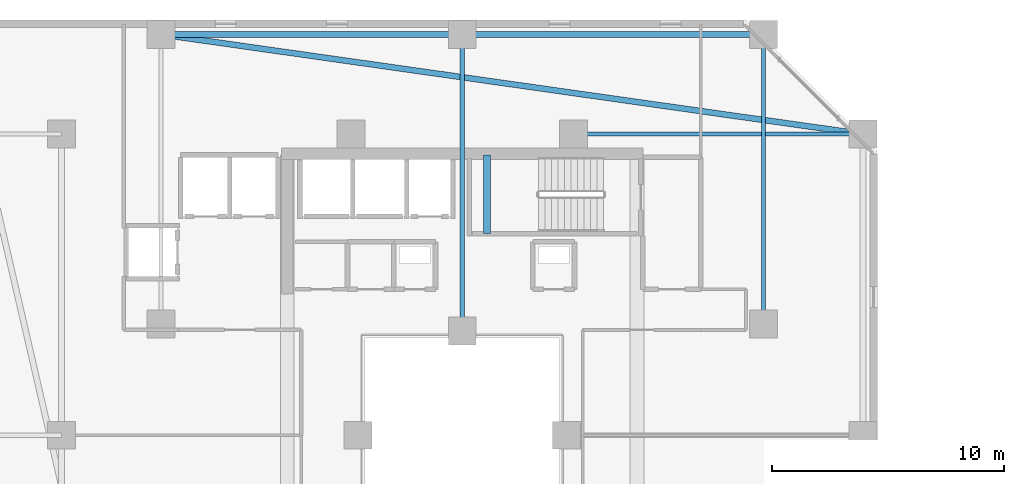
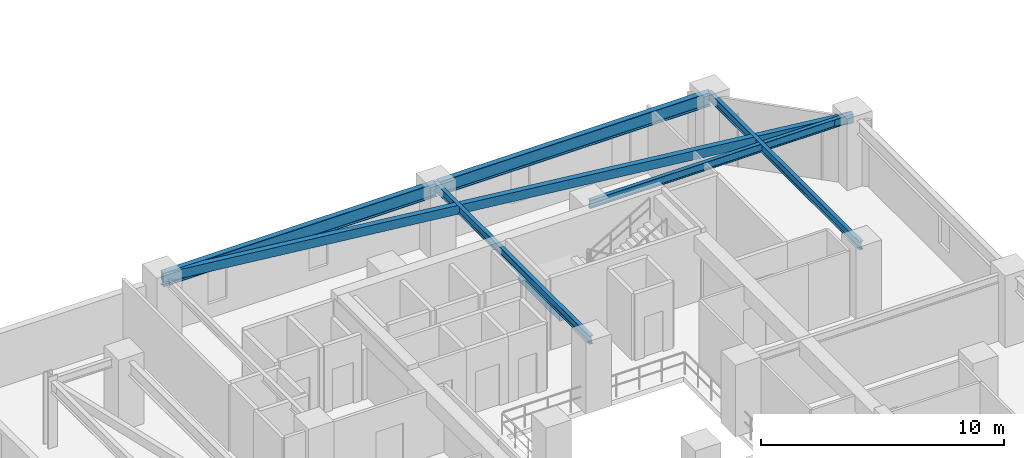
# One storey, part 8 of 31: 7 beams.
"""IFC4 building model written with IfcOpenShell, lengths in metres."""

from ifc_helpers import new_model, si_unit, direction, frame, origin, origin_2d, place, context, subcontext, project, spatial, rectangle, hollow_rectangle, i_section, extrude, material, material_profile, profile_set, type_object, element, save


model = new_model("IFC4")

# Units and contexts
model_context = context("Model", 3, precision=1e-05, world=origin(), true_north=direction((0.0, 1.0)))
body_context = subcontext(model_context, "Body", "Model", "MODEL_VIEW")
ifc_project = project(units=[si_unit("LENGTHUNIT", "METRE"), si_unit("AREAUNIT", "SQUARE_METRE"), si_unit("VOLUMEUNIT", "CUBIC_METRE"), si_unit("PLANEANGLEUNIT", "RADIAN"), si_unit("MASSUNIT", "GRAM", prefix="KILO")], contexts=[model_context])

# Site, building, storey
site_placement = place(None, origin())
site = spatial("IfcSite", under=ifc_project, at=site_placement, CompositionType="ELEMENT")
building_placement = place(site_placement, origin())
building = spatial("IfcBuilding", under=site, at=building_placement, Name="Thornwick Lancets Civic Towers", CompositionType="ELEMENT")
storey_placement = place(building_placement, frame((0.0, 0.0, 126.89990234375)))
storey = spatial("IfcBuildingStorey", under=building, at=storey_placement, Name="L33", CompositionType="ELEMENT", Elevation=126.89990234375)

# Beams
ifc_material_1 = material(Name="Steel S355JR", Category="steel")
ifc_material_profile_1 = material_profile(ifc_material_1, i_section(OverallWidth=0.255859375, OverallDepth=0.69287109375, WebThickness=0.014404296875, FlangeThickness=0.023681640625, FilletRadius=0.01513671875, at=origin_2d()), Name="UKB 686x254x170")
ifc_profile_set_1 = profile_set([ifc_material_profile_1], Name="Steel S355JR")
beam_type_1 = type_object("IfcBeamType", Name="BM_GIRD_686_170", PredefinedType="BEAM", material=ifc_profile_set_1)
beam_1_placement = place(storey_placement, frame((12.5, 44.300048828125, 3.013671875), z_axis=(1.0, 0.0, 0.0), x_axis=(0.0, 1.0, 0.0)))
element("IfcBeam", 1, at=beam_1_placement, inside=storey, type_object=beam_type_1, Name="BM-SPINE-L33-A-6-7", PredefinedType="BEAM", context=body_context, shape_type="SweptSolid", body=[
    extrude(i_section(OverallWidth=0.255859375, OverallDepth=0.69287109375, WebThickness=0.014404296875, FlangeThickness=0.023681640625, FilletRadius=0.01513671875, at=origin_2d()), origin(), (0.0, 0.0, 1.0), 13.0),
])
beam_2_placement = place(storey_placement, frame((25.580078125, 44.300048828125, 3.013671875), z_axis=(1.0, 0.0, 0.0), x_axis=(0.0, 1.0, 0.0)))
element("IfcBeam", 2, at=beam_2_placement, inside=storey, type_object=beam_type_1, Name="BM-SPINE-L33-A-7-8", PredefinedType="BEAM", context=body_context, shape_type="SweptSolid", body=[
    extrude(i_section(OverallWidth=0.255859375, OverallDepth=0.69287109375, WebThickness=0.014404296875, FlangeThickness=0.023681640625, FilletRadius=0.01513671875, at=origin_2d()), origin(), (0.0, 0.0, 1.0), 12.919921875),
])
ifc_material_profile_2 = material_profile(ifc_material_1, i_section(OverallWidth=0.179443359375, OverallDepth=0.412841796875, WebThickness=0.009521484375, FlangeThickness=0.01611328125, FilletRadius=0.01025390625, at=origin_2d()), Name="UKB 406x178x74")
ifc_profile_set_2 = profile_set([ifc_material_profile_2], Name="Steel S355JR")
beam_type_2 = type_object("IfcBeamType", Name="BM_JOIST_406_74", PredefinedType="JOIST", material=ifc_profile_set_2)
beam_3_placement = place(storey_placement, frame((30.300048828125, 40.0, 3.15380859375), z_axis=(1.0, 0.0, 0.0), x_axis=(0.0, 1.0, 0.0)))
element("IfcBeam", 3, at=beam_3_placement, inside=storey, type_object=beam_type_2, Name="BM-RADIN-L33-A06", PredefinedType="JOIST", context=body_context, shape_type="SweptSolid", body=[
    extrude(i_section(OverallWidth=0.179443359375, OverallDepth=0.412841796875, WebThickness=0.009521484375, FlangeThickness=0.01611328125, FilletRadius=0.01025390625, at=origin_2d()), origin(), (0.0, 0.0, 1.0), 12.5),
])
beam_4_placement = place(storey_placement, frame((25.5, 31.5, 3.15380859375), z_axis=(0.0, 1.0, 0.0), x_axis=(-1.0, 0.0, 0.0)))
element("IfcBeam", 4, at=beam_4_placement, inside=storey, type_object=beam_type_2, Name="BM-RADIN-L33-A08", PredefinedType="JOIST", context=body_context, shape_type="SweptSolid", body=[
    extrude(i_section(OverallWidth=0.179443359375, OverallDepth=0.412841796875, WebThickness=0.009521484375, FlangeThickness=0.01611328125, FilletRadius=0.01025390625, at=origin_2d()), origin(), (0.0, 0.0, 1.0), 12.800048828125),
])
beam_5_placement = place(storey_placement, frame((38.5, 31.800048828125, 3.15380859375), z_axis=(0.0, 1.0, 0.0), x_axis=(-1.0, 0.0, 0.0)))
element("IfcBeam", 5, at=beam_5_placement, inside=storey, type_object=beam_type_2, Name="BM-RADIN-L33-A09", PredefinedType="JOIST", context=body_context, shape_type="SweptSolid", body=[
    extrude(i_section(OverallWidth=0.179443359375, OverallDepth=0.412841796875, WebThickness=0.009521484375, FlangeThickness=0.01611328125, FilletRadius=0.01025390625, at=origin_2d()), origin(), (0.0, 0.0, 1.0), 12.5),
])
ifc_material_profile_3 = material_profile(ifc_material_1, hollow_rectangle(XDim=0.25, YDim=0.449951171875, WallThickness=0.01611328125, at=origin_2d()), Name="RHS 450x250x16")
ifc_profile_set_3 = profile_set([ifc_material_profile_3], Name="Steel S355JR")
beam_type_3 = type_object("IfcBeamType", Name="BM_RING_RHS450", PredefinedType="BEAM", material=ifc_profile_set_3)
beam_6_placement = place(storey_placement, frame((42.800048828125, 40.0, 3.135009765625), z_axis=(-0.990079584012, 0.140507712682, 0.0), x_axis=(-0.140507712682, -0.990079584012, 0.0)))
element("IfcBeam", 6, at=beam_6_placement, inside=storey, type_object=beam_type_3, Name="BM-CHAMF-L33-A-C1", PredefinedType="BEAM", context=body_context, shape_type="SweptSolid", body=[
    extrude(hollow_rectangle(XDim=0.25, YDim=0.449951171875, WallThickness=0.01611328125, at=origin_2d()), origin(), (0.0, 0.0, 1.0), 30.603759765625),
])
ifc_material_2 = material(Name="Concrete C40/50", Category="concrete")
ifc_material_profile_4 = material_profile(ifc_material_2, rectangle(XDim=0.300048828125, YDim=0.35009765625, at=origin_2d()), Name="RC 300x350")
ifc_profile_set_4 = profile_set([ifc_material_profile_4], Name="Concrete C40/50")
beam_type_4 = type_object("IfcBeamType", Name="BM_STAIR_LDG", PredefinedType="BEAM", material=ifc_profile_set_4)
beam_7_placement = place(storey_placement, frame((26.56494140625, 39.10009765625, 1.378173828125), z_axis=(0.0, -1.0, 0.0), x_axis=(1.0, 0.0, 0.0)))
element("IfcBeam", 7, at=beam_7_placement, inside=storey, type_object=beam_type_4, Name="L33 ST-A2 Landing Support Beam 1", PredefinedType="BEAM", context=body_context, shape_type="SweptSolid", body=[
    extrude(rectangle(XDim=0.300048828125, YDim=0.35009765625, at=origin_2d()), origin(), (0.0, 0.0, 1.0), 3.400146484375),
])

save(model, "model.ifc")
